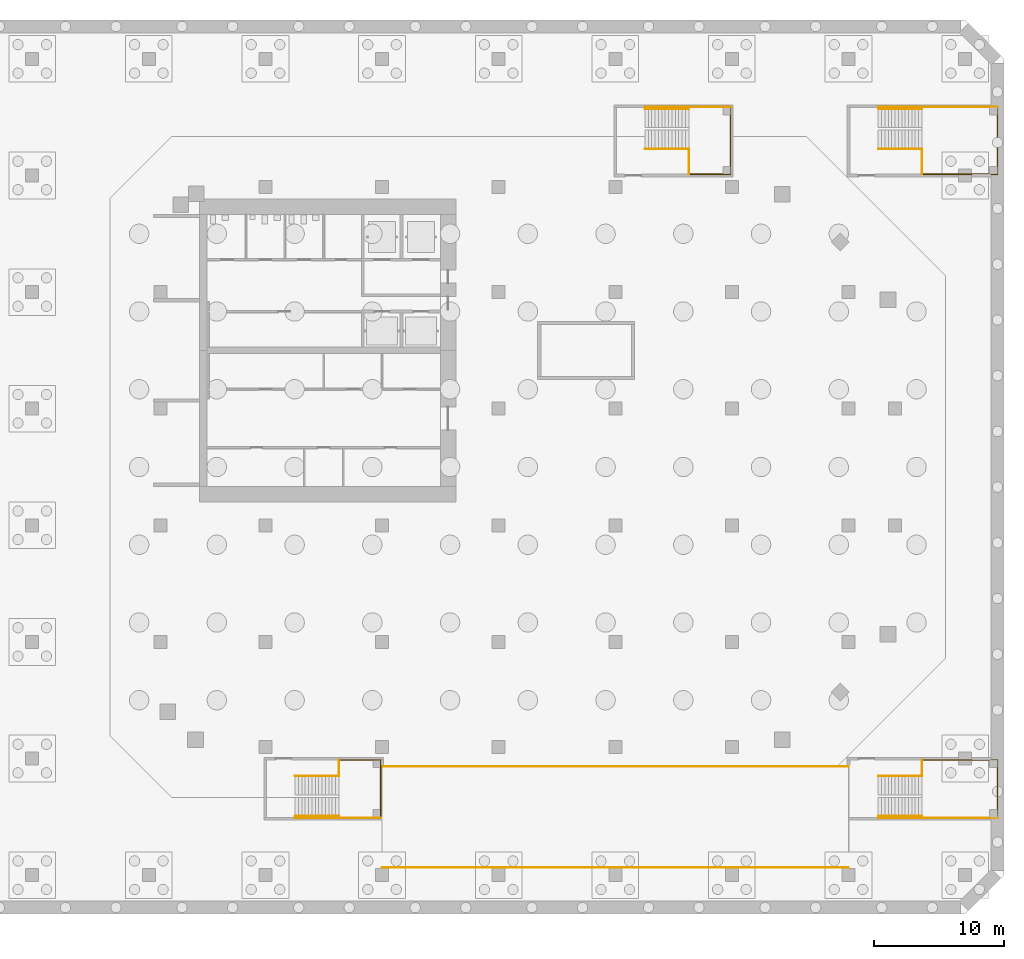
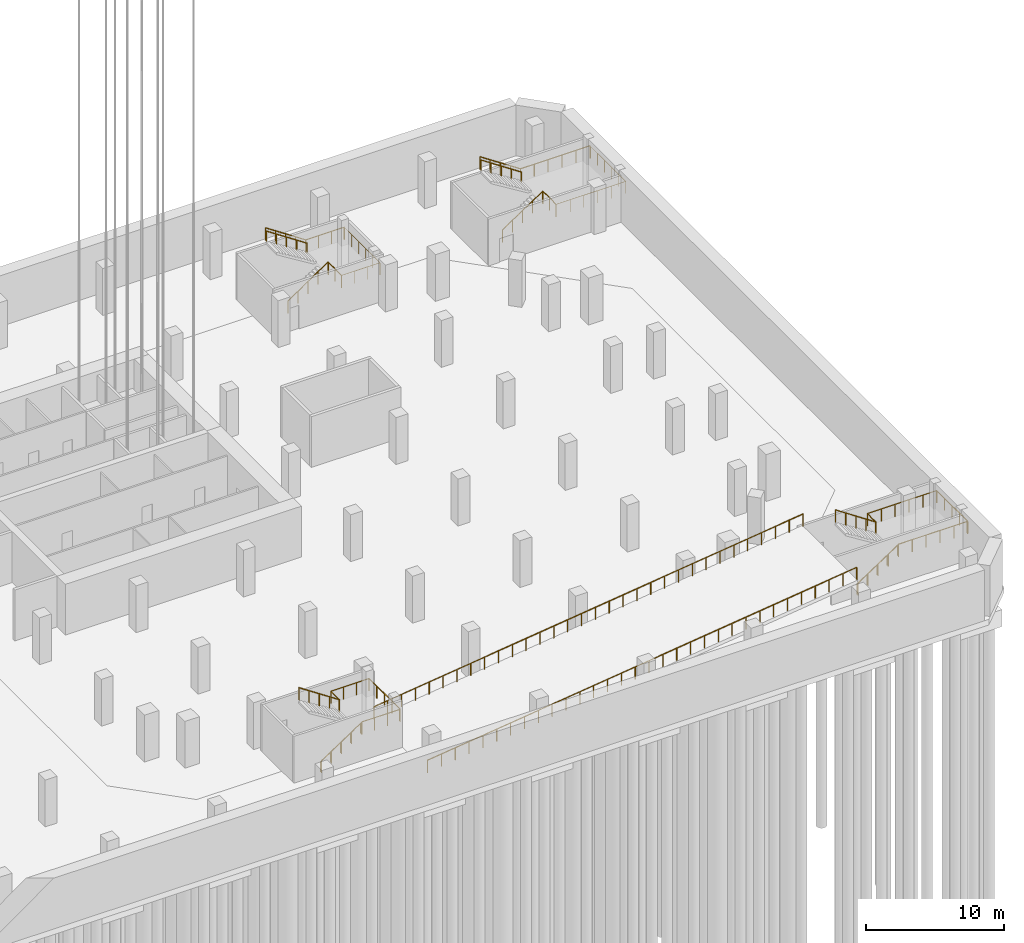
# One storey, part 27 of 30: 22 railings.
"""IFC4 building model written with IfcOpenShell, lengths in metres."""

from ifc_helpers import new_model, si_unit, direction, frame, origin, origin_2d, place, context, subcontext, project, spatial, circle, extrude, material, type_object, element, save


model = new_model("IFC4")

# Units and contexts
model_context = context("Model", 3, precision=1e-05, world=origin(), true_north=direction((0.0, 1.0)))
body_context = subcontext(model_context, "Body", "Model", "MODEL_VIEW")
ifc_project = project(units=[si_unit("LENGTHUNIT", "METRE"), si_unit("AREAUNIT", "SQUARE_METRE"), si_unit("VOLUMEUNIT", "CUBIC_METRE"), si_unit("PLANEANGLEUNIT", "RADIAN"), si_unit("MASSUNIT", "GRAM", prefix="KILO")], contexts=[model_context])

# Site, building, storey
site_placement = place(None, origin())
site = spatial("IfcSite", under=ifc_project, at=site_placement, CompositionType="ELEMENT")
building_placement = place(site_placement, origin())
building = spatial("IfcBuilding", under=site, at=building_placement, Name="Cinnabar Reach Civic Tower", CompositionType="ELEMENT")
storey_placement = place(building_placement, frame((0.0, 0.0, -14.0)))
storey = spatial("IfcBuildingStorey", under=building, at=storey_placement, Name="B3", CompositionType="ELEMENT", Elevation=-14.0)

# Railings
ifc_material_1 = material(Name="Stainless steel and glass", Category="steel")
railing_type_1 = type_object("IfcRailingType", Name="Podium guard 1100", PredefinedType="GUARDRAIL", material=ifc_material_1)
railing_1_placement = place(storey_placement, frame((14.68, -1.35, 2.25)))
element("IfcRailing", 1, at=railing_1_placement, inside=storey, type_object=railing_type_1, Name="Stair guard PS3 B3", PredefinedType="GUARDRAIL", context=body_context, shape_type="SweptSolid", body=[
    extrude(circle(Radius=0.024, at=origin_2d()), frame((0.0, 0.0, 1.076), z_axis=(-0.832428993721, 0.0, 0.554131726589), x_axis=(0.0, -1.0, 0.0)), (0.0, 0.0, 1.0), 4.0604),
    extrude(circle(Radius=0.021, at=origin_2d()), origin(), (0.0, 0.0, 1.0), 1.052),
    extrude(circle(Radius=0.021, at=origin_2d()), frame((-0.845, 0.0, 0.5625)), (0.0, 0.0, 1.0), 1.052),
    extrude(circle(Radius=0.021, at=origin_2d()), frame((-1.69, 0.0, 1.125)), (0.0, 0.0, 1.0), 1.052),
    extrude(circle(Radius=0.021, at=origin_2d()), frame((-2.535, 0.0, 1.6875)), (0.0, 0.0, 1.0), 1.052),
    extrude(circle(Radius=0.021, at=origin_2d()), frame((-3.38, 0.0, 2.25)), (0.0, 0.0, 1.0), 1.052),
])
railing_2_placement = place(storey_placement, frame((14.68, -0.1, 2.25)))
element("IfcRailing", 2, at=railing_2_placement, inside=storey, type_object=railing_type_1, Name="Landing guard PS3 B3", PredefinedType="GUARDRAIL", context=body_context, shape_type="SweptSolid", body=[
    extrude(circle(Radius=0.024, at=origin_2d()), frame((0.0, 0.0, 1.076), z_axis=(1.0, 0.0, 0.0), x_axis=(0.0, 1.0, 0.0)), (0.0, 0.0, 1.0), 3.22),
    extrude(circle(Radius=0.024, at=origin_2d()), frame((3.22, 0.0, 1.076), z_axis=(0.0, -1.0, 0.0), x_axis=(1.0, 0.0, 0.0)), (0.0, 0.0, 1.0), 4.4),
    extrude(circle(Radius=0.021, at=origin_2d()), origin(), (0.0, 0.0, 1.0), 1.052),
    extrude(circle(Radius=0.021, at=origin_2d()), frame((1.0733, 0.0, 0.0)), (0.0, 0.0, 1.0), 1.052),
    extrude(circle(Radius=0.021, at=origin_2d()), frame((2.1467, 0.0, 0.0)), (0.0, 0.0, 1.0), 1.052),
    extrude(circle(Radius=0.021, at=origin_2d()), frame((3.22, 0.0, 0.0)), (0.0, 0.0, 1.0), 1.052),
    extrude(circle(Radius=0.021, at=origin_2d()), frame((3.22, -1.1, 0.0)), (0.0, 0.0, 1.0), 1.052),
    extrude(circle(Radius=0.021, at=origin_2d()), frame((3.22, -2.2, 0.0)), (0.0, 0.0, 1.0), 1.052),
    extrude(circle(Radius=0.021, at=origin_2d()), frame((3.22, -3.3, 0.0)), (0.0, 0.0, 1.0), 1.052),
    extrude(circle(Radius=0.021, at=origin_2d()), frame((3.22, -4.4, 0.0)), (0.0, 0.0, 1.0), 1.052),
])
railing_3_placement = place(storey_placement, frame((14.68, -1.3, 2.25)))
element("IfcRailing", 3, at=railing_3_placement, inside=storey, type_object=railing_type_1, Name="Landing guard PS3 B3 inner", PredefinedType="GUARDRAIL", context=body_context, shape_type="SweptSolid", body=[
    extrude(circle(Radius=0.024, at=origin_2d()), frame((0.0, 0.0, 1.076), z_axis=(0.0, 1.0, 0.0), x_axis=(-1.0, 0.0, 0.0)), (0.0, 0.0, 1.0), 1.2),
    extrude(circle(Radius=0.021, at=origin_2d()), origin(), (0.0, 0.0, 1.0), 1.052),
    extrude(circle(Radius=0.021, at=origin_2d()), frame((0.0, 1.2, 0.0)), (0.0, 0.0, 1.0), 1.052),
])
railing_4_placement = place(storey_placement, frame((11.3, -4.6, 0.0)))
element("IfcRailing", 4, at=railing_4_placement, inside=storey, type_object=railing_type_1, Name="Stair wall side guard PS3 B3", PredefinedType="GUARDRAIL", context=body_context, shape_type="SweptSolid", body=[
    extrude(circle(Radius=0.024, at=origin_2d()), frame((0.0, 0.0, 1.076), z_axis=(0.832428993721, 0.0, 0.554131726589), x_axis=(0.0, 1.0, 0.0)), (0.0, 0.0, 1.0), 4.0604),
    extrude(circle(Radius=0.024, at=origin_2d()), frame((3.38, 0.0, 3.326), z_axis=(1.0, 0.0, 0.0), x_axis=(0.0, 1.0, 0.0)), (0.0, 0.0, 1.0), 3.22),
    extrude(circle(Radius=0.021, at=origin_2d()), origin(), (0.0, 0.0, 1.0), 1.052),
    extrude(circle(Radius=0.021, at=origin_2d()), frame((0.845, 0.0, 0.5625)), (0.0, 0.0, 1.0), 1.052),
    extrude(circle(Radius=0.021, at=origin_2d()), frame((1.69, 0.0, 1.125)), (0.0, 0.0, 1.0), 1.052),
    extrude(circle(Radius=0.021, at=origin_2d()), frame((2.535, 0.0, 1.6875)), (0.0, 0.0, 1.0), 1.052),
    extrude(circle(Radius=0.021, at=origin_2d()), frame((3.38, 0.0, 2.25)), (0.0, 0.0, 1.0), 1.052),
    extrude(circle(Radius=0.021, at=origin_2d()), frame((4.4533, 0.0, 2.25)), (0.0, 0.0, 1.0), 1.052),
    extrude(circle(Radius=0.021, at=origin_2d()), frame((5.5267, 0.0, 2.25)), (0.0, 0.0, 1.0), 1.052),
    extrude(circle(Radius=0.021, at=origin_2d()), frame((6.6, 0.0, 2.25)), (0.0, 0.0, 1.0), 1.052),
])
railing_5_placement = place(storey_placement, frame((59.68, -1.35, 2.25)))
element("IfcRailing", 5, at=railing_5_placement, inside=storey, type_object=railing_type_1, Name="Stair guard PS4 B3", PredefinedType="GUARDRAIL", context=body_context, shape_type="SweptSolid", body=[
    extrude(circle(Radius=0.024, at=origin_2d()), frame((0.0, 0.0, 1.076), z_axis=(-0.832428993721, 0.0, 0.554131726589), x_axis=(0.0, -1.0, 0.0)), (0.0, 0.0, 1.0), 4.0604),
    extrude(circle(Radius=0.021, at=origin_2d()), origin(), (0.0, 0.0, 1.0), 1.052),
    extrude(circle(Radius=0.021, at=origin_2d()), frame((-0.845, 0.0, 0.5625)), (0.0, 0.0, 1.0), 1.052),
    extrude(circle(Radius=0.021, at=origin_2d()), frame((-1.69, 0.0, 1.125)), (0.0, 0.0, 1.0), 1.052),
    extrude(circle(Radius=0.021, at=origin_2d()), frame((-2.535, 0.0, 1.6875)), (0.0, 0.0, 1.0), 1.052),
    extrude(circle(Radius=0.021, at=origin_2d()), frame((-3.38, 0.0, 2.25)), (0.0, 0.0, 1.0), 1.052),
])
railing_6_placement = place(storey_placement, frame((59.68, -0.1, 2.25)))
element("IfcRailing", 6, at=railing_6_placement, inside=storey, type_object=railing_type_1, Name="Landing guard PS4 B3", PredefinedType="GUARDRAIL", context=body_context, shape_type="SweptSolid", body=[
    extrude(circle(Radius=0.024, at=origin_2d()), frame((0.0, 0.0, 1.076), z_axis=(1.0, 0.0, 0.0), x_axis=(0.0, 1.0, 0.0)), (0.0, 0.0, 1.0), 5.82),
    extrude(circle(Radius=0.024, at=origin_2d()), frame((5.82, 0.0, 1.076), z_axis=(0.0, -1.0, 0.0), x_axis=(1.0, 0.0, 0.0)), (0.0, 0.0, 1.0), 4.4),
    extrude(circle(Radius=0.021, at=origin_2d()), origin(), (0.0, 0.0, 1.0), 1.052),
    extrude(circle(Radius=0.021, at=origin_2d()), frame((1.164, 0.0, 0.0)), (0.0, 0.0, 1.0), 1.052),
    extrude(circle(Radius=0.021, at=origin_2d()), frame((2.328, 0.0, 0.0)), (0.0, 0.0, 1.0), 1.052),
    extrude(circle(Radius=0.021, at=origin_2d()), frame((3.492, 0.0, 0.0)), (0.0, 0.0, 1.0), 1.052),
    extrude(circle(Radius=0.021, at=origin_2d()), frame((4.656, 0.0, 0.0)), (0.0, 0.0, 1.0), 1.052),
    extrude(circle(Radius=0.021, at=origin_2d()), frame((5.82, 0.0, 0.0)), (0.0, 0.0, 1.0), 1.052),
    extrude(circle(Radius=0.021, at=origin_2d()), frame((5.82, -1.1, 0.0)), (0.0, 0.0, 1.0), 1.052),
    extrude(circle(Radius=0.021, at=origin_2d()), frame((5.82, -2.2, 0.0)), (0.0, 0.0, 1.0), 1.052),
    extrude(circle(Radius=0.021, at=origin_2d()), frame((5.82, -3.3, 0.0)), (0.0, 0.0, 1.0), 1.052),
    extrude(circle(Radius=0.021, at=origin_2d()), frame((5.82, -4.4, 0.0)), (0.0, 0.0, 1.0), 1.052),
])
railing_7_placement = place(storey_placement, frame((59.68, -1.3, 2.25)))
element("IfcRailing", 7, at=railing_7_placement, inside=storey, type_object=railing_type_1, Name="Landing guard PS4 B3 inner", PredefinedType="GUARDRAIL", context=body_context, shape_type="SweptSolid", body=[
    extrude(circle(Radius=0.024, at=origin_2d()), frame((0.0, 0.0, 1.076), z_axis=(0.0, 1.0, 0.0), x_axis=(-1.0, 0.0, 0.0)), (0.0, 0.0, 1.0), 1.2),
    extrude(circle(Radius=0.021, at=origin_2d()), origin(), (0.0, 0.0, 1.0), 1.052),
    extrude(circle(Radius=0.021, at=origin_2d()), frame((0.0, 1.2, 0.0)), (0.0, 0.0, 1.0), 1.052),
])
railing_8_placement = place(storey_placement, frame((56.3, -4.6, 0.0)))
element("IfcRailing", 8, at=railing_8_placement, inside=storey, type_object=railing_type_1, Name="Stair wall side guard PS4 B3", PredefinedType="GUARDRAIL", context=body_context, shape_type="SweptSolid", body=[
    extrude(circle(Radius=0.024, at=origin_2d()), frame((0.0, 0.0, 1.076), z_axis=(0.832428993721, 0.0, 0.554131726589), x_axis=(0.0, 1.0, 0.0)), (0.0, 0.0, 1.0), 4.0604),
    extrude(circle(Radius=0.024, at=origin_2d()), frame((3.38, 0.0, 3.326), z_axis=(1.0, 0.0, 0.0), x_axis=(0.0, 1.0, 0.0)), (0.0, 0.0, 1.0), 5.82),
    extrude(circle(Radius=0.021, at=origin_2d()), origin(), (0.0, 0.0, 1.0), 1.052),
    extrude(circle(Radius=0.021, at=origin_2d()), frame((0.845, 0.0, 0.5625)), (0.0, 0.0, 1.0), 1.052),
    extrude(circle(Radius=0.021, at=origin_2d()), frame((1.69, 0.0, 1.125)), (0.0, 0.0, 1.0), 1.052),
    extrude(circle(Radius=0.021, at=origin_2d()), frame((2.535, 0.0, 1.6875)), (0.0, 0.0, 1.0), 1.052),
    extrude(circle(Radius=0.021, at=origin_2d()), frame((3.38, 0.0, 2.25)), (0.0, 0.0, 1.0), 1.052),
    extrude(circle(Radius=0.021, at=origin_2d()), frame((4.544, 0.0, 2.25)), (0.0, 0.0, 1.0), 1.052),
    extrude(circle(Radius=0.021, at=origin_2d()), frame((5.708, 0.0, 2.25)), (0.0, 0.0, 1.0), 1.052),
    extrude(circle(Radius=0.021, at=origin_2d()), frame((6.872, 0.0, 2.25)), (0.0, 0.0, 1.0), 1.052),
    extrude(circle(Radius=0.021, at=origin_2d()), frame((8.036, 0.0, 2.25)), (0.0, 0.0, 1.0), 1.052),
    extrude(circle(Radius=0.021, at=origin_2d()), frame((9.2, 0.0, 2.25)), (0.0, 0.0, 1.0), 1.052),
])
railing_9_placement = place(storey_placement, frame((56.3, 47.05, 0.0)))
element("IfcRailing", 9, at=railing_9_placement, inside=storey, type_object=railing_type_1, Name="Stair guard PS5 B3", PredefinedType="GUARDRAIL", context=body_context, shape_type="SweptSolid", body=[
    extrude(circle(Radius=0.024, at=origin_2d()), frame((0.0, 0.0, 1.076), z_axis=(0.832428993721, 0.0, 0.554131726589), x_axis=(0.0, 1.0, 0.0)), (0.0, 0.0, 1.0), 4.0604),
    extrude(circle(Radius=0.021, at=origin_2d()), origin(), (0.0, 0.0, 1.0), 1.052),
    extrude(circle(Radius=0.021, at=origin_2d()), frame((0.845, 0.0, 0.5625)), (0.0, 0.0, 1.0), 1.052),
    extrude(circle(Radius=0.021, at=origin_2d()), frame((1.69, 0.0, 1.125)), (0.0, 0.0, 1.0), 1.052),
    extrude(circle(Radius=0.021, at=origin_2d()), frame((2.535, 0.0, 1.6875)), (0.0, 0.0, 1.0), 1.052),
    extrude(circle(Radius=0.021, at=origin_2d()), frame((3.38, 0.0, 2.25)), (0.0, 0.0, 1.0), 1.052),
])
railing_10_placement = place(storey_placement, frame((59.68, 45.1, 2.25)))
element("IfcRailing", 10, at=railing_10_placement, inside=storey, type_object=railing_type_1, Name="Landing guard PS5 B3", PredefinedType="GUARDRAIL", context=body_context, shape_type="SweptSolid", body=[
    extrude(circle(Radius=0.024, at=origin_2d()), frame((0.0, 0.0, 1.076), z_axis=(1.0, 0.0, 0.0), x_axis=(0.0, 1.0, 0.0)), (0.0, 0.0, 1.0), 5.82),
    extrude(circle(Radius=0.024, at=origin_2d()), frame((5.82, 0.0, 1.076), z_axis=(0.0, 1.0, 0.0), x_axis=(-1.0, 0.0, 0.0)), (0.0, 0.0, 1.0), 5.1),
    extrude(circle(Radius=0.021, at=origin_2d()), origin(), (0.0, 0.0, 1.0), 1.052),
    extrude(circle(Radius=0.021, at=origin_2d()), frame((1.164, 0.0, 0.0)), (0.0, 0.0, 1.0), 1.052),
    extrude(circle(Radius=0.021, at=origin_2d()), frame((2.328, 0.0, 0.0)), (0.0, 0.0, 1.0), 1.052),
    extrude(circle(Radius=0.021, at=origin_2d()), frame((3.492, 0.0, 0.0)), (0.0, 0.0, 1.0), 1.052),
    extrude(circle(Radius=0.021, at=origin_2d()), frame((4.656, 0.0, 0.0)), (0.0, 0.0, 1.0), 1.052),
    extrude(circle(Radius=0.021, at=origin_2d()), frame((5.82, 0.0, 0.0)), (0.0, 0.0, 1.0), 1.052),
    extrude(circle(Radius=0.021, at=origin_2d()), frame((5.82, 1.02, 0.0)), (0.0, 0.0, 1.0), 1.052),
    extrude(circle(Radius=0.021, at=origin_2d()), frame((5.82, 2.04, 0.0)), (0.0, 0.0, 1.0), 1.052),
    extrude(circle(Radius=0.021, at=origin_2d()), frame((5.82, 3.06, 0.0)), (0.0, 0.0, 1.0), 1.052),
    extrude(circle(Radius=0.021, at=origin_2d()), frame((5.82, 4.08, 0.0)), (0.0, 0.0, 1.0), 1.052),
    extrude(circle(Radius=0.021, at=origin_2d()), frame((5.82, 5.1, 0.0)), (0.0, 0.0, 1.0), 1.052),
])
railing_11_placement = place(storey_placement, frame((59.68, 45.1, 2.25)))
element("IfcRailing", 11, at=railing_11_placement, inside=storey, type_object=railing_type_1, Name="Landing guard PS5 B3 inner", PredefinedType="GUARDRAIL", context=body_context, shape_type="SweptSolid", body=[
    extrude(circle(Radius=0.024, at=origin_2d()), frame((0.0, 0.0, 1.076), z_axis=(0.0, 1.0, 0.0), x_axis=(-1.0, 0.0, 0.0)), (0.0, 0.0, 1.0), 1.9),
    extrude(circle(Radius=0.021, at=origin_2d()), origin(), (0.0, 0.0, 1.0), 1.052),
    extrude(circle(Radius=0.021, at=origin_2d()), frame((0.0, 0.95, 0.0)), (0.0, 0.0, 1.0), 1.052),
    extrude(circle(Radius=0.021, at=origin_2d()), frame((0.0, 1.9, 0.0)), (0.0, 0.0, 1.0), 1.052),
])
railing_12_placement = place(storey_placement, frame((65.5, 50.3, 2.25)))
element("IfcRailing", 12, at=railing_12_placement, inside=storey, type_object=railing_type_1, Name="Stair wall side guard PS5 B3", PredefinedType="GUARDRAIL", context=body_context, shape_type="SweptSolid", body=[
    extrude(circle(Radius=0.024, at=origin_2d()), frame((0.0, 0.0, 1.076), z_axis=(-1.0, 0.0, 0.0), x_axis=(0.0, -1.0, 0.0)), (0.0, 0.0, 1.0), 5.82),
    extrude(circle(Radius=0.024, at=origin_2d()), frame((-5.82, 0.0, 1.076), z_axis=(-0.832428993721, 0.0, 0.554131726589), x_axis=(0.0, -1.0, 0.0)), (0.0, 0.0, 1.0), 4.0604),
    extrude(circle(Radius=0.021, at=origin_2d()), origin(), (0.0, 0.0, 1.0), 1.052),
    extrude(circle(Radius=0.021, at=origin_2d()), frame((-1.164, 0.0, 0.0)), (0.0, 0.0, 1.0), 1.052),
    extrude(circle(Radius=0.021, at=origin_2d()), frame((-2.328, 0.0, 0.0)), (0.0, 0.0, 1.0), 1.052),
    extrude(circle(Radius=0.021, at=origin_2d()), frame((-3.492, 0.0, 0.0)), (0.0, 0.0, 1.0), 1.052),
    extrude(circle(Radius=0.021, at=origin_2d()), frame((-4.656, 0.0, 0.0)), (0.0, 0.0, 1.0), 1.052),
    extrude(circle(Radius=0.021, at=origin_2d()), frame((-5.82, 0.0, 0.0)), (0.0, 0.0, 1.0), 1.052),
    extrude(circle(Radius=0.021, at=origin_2d()), frame((-6.665, 0.0, 0.5625)), (0.0, 0.0, 1.0), 1.052),
    extrude(circle(Radius=0.021, at=origin_2d()), frame((-7.51, 0.0, 1.125)), (0.0, 0.0, 1.0), 1.052),
    extrude(circle(Radius=0.021, at=origin_2d()), frame((-8.355, 0.0, 1.6875)), (0.0, 0.0, 1.0), 1.052),
    extrude(circle(Radius=0.021, at=origin_2d()), frame((-9.2, 0.0, 2.25)), (0.0, 0.0, 1.0), 1.052),
])
railing_13_placement = place(storey_placement, frame((38.3, 47.05, 0.0)))
element("IfcRailing", 13, at=railing_13_placement, inside=storey, type_object=railing_type_1, Name="Stair guard PS6 B3", PredefinedType="GUARDRAIL", context=body_context, shape_type="SweptSolid", body=[
    extrude(circle(Radius=0.024, at=origin_2d()), frame((0.0, 0.0, 1.076), z_axis=(0.832428993721, 0.0, 0.554131726589), x_axis=(0.0, 1.0, 0.0)), (0.0, 0.0, 1.0), 4.0604),
    extrude(circle(Radius=0.021, at=origin_2d()), origin(), (0.0, 0.0, 1.0), 1.052),
    extrude(circle(Radius=0.021, at=origin_2d()), frame((0.845, 0.0, 0.5625)), (0.0, 0.0, 1.0), 1.052),
    extrude(circle(Radius=0.021, at=origin_2d()), frame((1.69, 0.0, 1.125)), (0.0, 0.0, 1.0), 1.052),
    extrude(circle(Radius=0.021, at=origin_2d()), frame((2.535, 0.0, 1.6875)), (0.0, 0.0, 1.0), 1.052),
    extrude(circle(Radius=0.021, at=origin_2d()), frame((3.38, 0.0, 2.25)), (0.0, 0.0, 1.0), 1.052),
])
railing_14_placement = place(storey_placement, frame((41.68, 45.1, 2.25)))
element("IfcRailing", 14, at=railing_14_placement, inside=storey, type_object=railing_type_1, Name="Landing guard PS6 B3", PredefinedType="GUARDRAIL", context=body_context, shape_type="SweptSolid", body=[
    extrude(circle(Radius=0.024, at=origin_2d()), frame((0.0, 0.0, 1.076), z_axis=(1.0, 0.0, 0.0), x_axis=(0.0, 1.0, 0.0)), (0.0, 0.0, 1.0), 3.22),
    extrude(circle(Radius=0.024, at=origin_2d()), frame((3.22, 0.0, 1.076), z_axis=(0.0, 1.0, 0.0), x_axis=(-1.0, 0.0, 0.0)), (0.0, 0.0, 1.0), 5.1),
    extrude(circle(Radius=0.021, at=origin_2d()), origin(), (0.0, 0.0, 1.0), 1.052),
    extrude(circle(Radius=0.021, at=origin_2d()), frame((1.0733, 0.0, 0.0)), (0.0, 0.0, 1.0), 1.052),
    extrude(circle(Radius=0.021, at=origin_2d()), frame((2.1467, 0.0, 0.0)), (0.0, 0.0, 1.0), 1.052),
    extrude(circle(Radius=0.021, at=origin_2d()), frame((3.22, 0.0, 0.0)), (0.0, 0.0, 1.0), 1.052),
    extrude(circle(Radius=0.021, at=origin_2d()), frame((3.22, 1.02, 0.0)), (0.0, 0.0, 1.0), 1.052),
    extrude(circle(Radius=0.021, at=origin_2d()), frame((3.22, 2.04, 0.0)), (0.0, 0.0, 1.0), 1.052),
    extrude(circle(Radius=0.021, at=origin_2d()), frame((3.22, 3.06, 0.0)), (0.0, 0.0, 1.0), 1.052),
    extrude(circle(Radius=0.021, at=origin_2d()), frame((3.22, 4.08, 0.0)), (0.0, 0.0, 1.0), 1.052),
    extrude(circle(Radius=0.021, at=origin_2d()), frame((3.22, 5.1, 0.0)), (0.0, 0.0, 1.0), 1.052),
])
railing_15_placement = place(storey_placement, frame((41.68, 45.1, 2.25)))
element("IfcRailing", 15, at=railing_15_placement, inside=storey, type_object=railing_type_1, Name="Landing guard PS6 B3 inner", PredefinedType="GUARDRAIL", context=body_context, shape_type="SweptSolid", body=[
    extrude(circle(Radius=0.024, at=origin_2d()), frame((0.0, 0.0, 1.076), z_axis=(0.0, 1.0, 0.0), x_axis=(-1.0, 0.0, 0.0)), (0.0, 0.0, 1.0), 1.9),
    extrude(circle(Radius=0.021, at=origin_2d()), origin(), (0.0, 0.0, 1.0), 1.052),
    extrude(circle(Radius=0.021, at=origin_2d()), frame((0.0, 0.95, 0.0)), (0.0, 0.0, 1.0), 1.052),
    extrude(circle(Radius=0.021, at=origin_2d()), frame((0.0, 1.9, 0.0)), (0.0, 0.0, 1.0), 1.052),
])
railing_16_placement = place(storey_placement, frame((44.9, 50.3, 2.25)))
element("IfcRailing", 16, at=railing_16_placement, inside=storey, type_object=railing_type_1, Name="Stair wall side guard PS6 B3", PredefinedType="GUARDRAIL", context=body_context, shape_type="SweptSolid", body=[
    extrude(circle(Radius=0.024, at=origin_2d()), frame((0.0, 0.0, 1.076), z_axis=(-1.0, 0.0, 0.0), x_axis=(0.0, -1.0, 0.0)), (0.0, 0.0, 1.0), 3.22),
    extrude(circle(Radius=0.024, at=origin_2d()), frame((-3.22, 0.0, 1.076), z_axis=(-0.832428993721, 0.0, 0.554131726589), x_axis=(0.0, -1.0, 0.0)), (0.0, 0.0, 1.0), 4.0604),
    extrude(circle(Radius=0.021, at=origin_2d()), origin(), (0.0, 0.0, 1.0), 1.052),
    extrude(circle(Radius=0.021, at=origin_2d()), frame((-1.0733, 0.0, 0.0)), (0.0, 0.0, 1.0), 1.052),
    extrude(circle(Radius=0.021, at=origin_2d()), frame((-2.1467, 0.0, 0.0)), (0.0, 0.0, 1.0), 1.052),
    extrude(circle(Radius=0.021, at=origin_2d()), frame((-3.22, 0.0, 0.0)), (0.0, 0.0, 1.0), 1.052),
    extrude(circle(Radius=0.021, at=origin_2d()), frame((-4.065, 0.0, 0.5625)), (0.0, 0.0, 1.0), 1.052),
    extrude(circle(Radius=0.021, at=origin_2d()), frame((-4.91, 0.0, 1.125)), (0.0, 0.0, 1.0), 1.052),
    extrude(circle(Radius=0.021, at=origin_2d()), frame((-5.755, 0.0, 1.6875)), (0.0, 0.0, 1.0), 1.052),
    extrude(circle(Radius=0.021, at=origin_2d()), frame((-6.6, 0.0, 2.25)), (0.0, 0.0, 1.0), 1.052),
])
railing_17_placement = place(storey_placement, frame((18.0, -8.4, 0.0)))
element("IfcRailing", 17, at=railing_17_placement, inside=storey, type_object=railing_type_1, Name="Ramp guard R1-a", PredefinedType="GUARDRAIL", context=body_context, shape_type="SweptSolid", body=[
    extrude(circle(Radius=0.024, at=origin_2d()), frame((0.0, 0.0, 1.076), z_axis=(0.992277876714, 0.0, 0.124034734589), x_axis=(0.0, 1.0, 0.0)), (0.0, 0.0, 1.0), 36.2802),
    extrude(circle(Radius=0.021, at=origin_2d()), origin(), (0.0, 0.0, 1.0), 1.052),
    extrude(circle(Radius=0.021, at=origin_2d()), frame((1.1613, 0.0, 0.1452)), (0.0, 0.0, 1.0), 1.052),
    extrude(circle(Radius=0.021, at=origin_2d()), frame((2.3226, 0.0, 0.2903)), (0.0, 0.0, 1.0), 1.052),
    extrude(circle(Radius=0.021, at=origin_2d()), frame((3.4839, 0.0, 0.4355)), (0.0, 0.0, 1.0), 1.052),
    extrude(circle(Radius=0.021, at=origin_2d()), frame((4.6452, 0.0, 0.5806)), (0.0, 0.0, 1.0), 1.052),
    extrude(circle(Radius=0.021, at=origin_2d()), frame((5.8065, 0.0, 0.7258)), (0.0, 0.0, 1.0), 1.052),
    extrude(circle(Radius=0.021, at=origin_2d()), frame((6.9677, 0.0, 0.871)), (0.0, 0.0, 1.0), 1.052),
    extrude(circle(Radius=0.021, at=origin_2d()), frame((8.129, 0.0, 1.0161)), (0.0, 0.0, 1.0), 1.052),
    extrude(circle(Radius=0.021, at=origin_2d()), frame((9.2903, 0.0, 1.1613)), (0.0, 0.0, 1.0), 1.052),
    extrude(circle(Radius=0.021, at=origin_2d()), frame((10.4516, 0.0, 1.3065)), (0.0, 0.0, 1.0), 1.052),
    extrude(circle(Radius=0.021, at=origin_2d()), frame((11.6129, 0.0, 1.4516)), (0.0, 0.0, 1.0), 1.052),
    extrude(circle(Radius=0.021, at=origin_2d()), frame((12.7742, 0.0, 1.5968)), (0.0, 0.0, 1.0), 1.052),
    extrude(circle(Radius=0.021, at=origin_2d()), frame((13.9355, 0.0, 1.7419)), (0.0, 0.0, 1.0), 1.052),
    extrude(circle(Radius=0.021, at=origin_2d()), frame((15.0968, 0.0, 1.8871)), (0.0, 0.0, 1.0), 1.052),
    extrude(circle(Radius=0.021, at=origin_2d()), frame((16.2581, 0.0, 2.0323)), (0.0, 0.0, 1.0), 1.052),
    extrude(circle(Radius=0.021, at=origin_2d()), frame((17.4194, 0.0, 2.1774)), (0.0, 0.0, 1.0), 1.052),
    extrude(circle(Radius=0.021, at=origin_2d()), frame((18.5806, 0.0, 2.3226)), (0.0, 0.0, 1.0), 1.052),
    extrude(circle(Radius=0.021, at=origin_2d()), frame((19.7419, 0.0, 2.4677)), (0.0, 0.0, 1.0), 1.052),
    extrude(circle(Radius=0.021, at=origin_2d()), frame((20.9032, 0.0, 2.6129)), (0.0, 0.0, 1.0), 1.052),
    extrude(circle(Radius=0.021, at=origin_2d()), frame((22.0645, 0.0, 2.7581)), (0.0, 0.0, 1.0), 1.052),
    extrude(circle(Radius=0.021, at=origin_2d()), frame((23.2258, 0.0, 2.9032)), (0.0, 0.0, 1.0), 1.052),
    extrude(circle(Radius=0.021, at=origin_2d()), frame((24.3871, 0.0, 3.0484)), (0.0, 0.0, 1.0), 1.052),
    extrude(circle(Radius=0.021, at=origin_2d()), frame((25.5484, 0.0, 3.1935)), (0.0, 0.0, 1.0), 1.052),
    extrude(circle(Radius=0.021, at=origin_2d()), frame((26.7097, 0.0, 3.3387)), (0.0, 0.0, 1.0), 1.052),
    extrude(circle(Radius=0.021, at=origin_2d()), frame((27.871, 0.0, 3.4839)), (0.0, 0.0, 1.0), 1.052),
    extrude(circle(Radius=0.021, at=origin_2d()), frame((29.0323, 0.0, 3.629)), (0.0, 0.0, 1.0), 1.052),
    extrude(circle(Radius=0.021, at=origin_2d()), frame((30.1935, 0.0, 3.7742)), (0.0, 0.0, 1.0), 1.052),
    extrude(circle(Radius=0.021, at=origin_2d()), frame((31.3548, 0.0, 3.9194)), (0.0, 0.0, 1.0), 1.052),
    extrude(circle(Radius=0.021, at=origin_2d()), frame((32.5161, 0.0, 4.0645)), (0.0, 0.0, 1.0), 1.052),
    extrude(circle(Radius=0.021, at=origin_2d()), frame((33.6774, 0.0, 4.2097)), (0.0, 0.0, 1.0), 1.052),
    extrude(circle(Radius=0.021, at=origin_2d()), frame((34.8387, 0.0, 4.3548)), (0.0, 0.0, 1.0), 1.052),
    extrude(circle(Radius=0.021, at=origin_2d()), frame((36.0, 0.0, 4.5)), (0.0, 0.0, 1.0), 1.052),
])
railing_18_placement = place(storey_placement, frame((18.0, -0.6, 0.0)))
element("IfcRailing", 18, at=railing_18_placement, inside=storey, type_object=railing_type_1, Name="Ramp guard R1-b", PredefinedType="GUARDRAIL", context=body_context, shape_type="SweptSolid", body=[
    extrude(circle(Radius=0.024, at=origin_2d()), frame((0.0, 0.0, 1.076), z_axis=(0.992277876714, 0.0, 0.124034734589), x_axis=(0.0, 1.0, 0.0)), (0.0, 0.0, 1.0), 36.2802),
    extrude(circle(Radius=0.021, at=origin_2d()), origin(), (0.0, 0.0, 1.0), 1.052),
    extrude(circle(Radius=0.021, at=origin_2d()), frame((1.1613, 0.0, 0.1452)), (0.0, 0.0, 1.0), 1.052),
    extrude(circle(Radius=0.021, at=origin_2d()), frame((2.3226, 0.0, 0.2903)), (0.0, 0.0, 1.0), 1.052),
    extrude(circle(Radius=0.021, at=origin_2d()), frame((3.4839, 0.0, 0.4355)), (0.0, 0.0, 1.0), 1.052),
    extrude(circle(Radius=0.021, at=origin_2d()), frame((4.6452, 0.0, 0.5806)), (0.0, 0.0, 1.0), 1.052),
    extrude(circle(Radius=0.021, at=origin_2d()), frame((5.8065, 0.0, 0.7258)), (0.0, 0.0, 1.0), 1.052),
    extrude(circle(Radius=0.021, at=origin_2d()), frame((6.9677, 0.0, 0.871)), (0.0, 0.0, 1.0), 1.052),
    extrude(circle(Radius=0.021, at=origin_2d()), frame((8.129, 0.0, 1.0161)), (0.0, 0.0, 1.0), 1.052),
    extrude(circle(Radius=0.021, at=origin_2d()), frame((9.2903, 0.0, 1.1613)), (0.0, 0.0, 1.0), 1.052),
    extrude(circle(Radius=0.021, at=origin_2d()), frame((10.4516, 0.0, 1.3065)), (0.0, 0.0, 1.0), 1.052),
    extrude(circle(Radius=0.021, at=origin_2d()), frame((11.6129, 0.0, 1.4516)), (0.0, 0.0, 1.0), 1.052),
    extrude(circle(Radius=0.021, at=origin_2d()), frame((12.7742, 0.0, 1.5968)), (0.0, 0.0, 1.0), 1.052),
    extrude(circle(Radius=0.021, at=origin_2d()), frame((13.9355, 0.0, 1.7419)), (0.0, 0.0, 1.0), 1.052),
    extrude(circle(Radius=0.021, at=origin_2d()), frame((15.0968, 0.0, 1.8871)), (0.0, 0.0, 1.0), 1.052),
    extrude(circle(Radius=0.021, at=origin_2d()), frame((16.2581, 0.0, 2.0323)), (0.0, 0.0, 1.0), 1.052),
    extrude(circle(Radius=0.021, at=origin_2d()), frame((17.4194, 0.0, 2.1774)), (0.0, 0.0, 1.0), 1.052),
    extrude(circle(Radius=0.021, at=origin_2d()), frame((18.5806, 0.0, 2.3226)), (0.0, 0.0, 1.0), 1.052),
    extrude(circle(Radius=0.021, at=origin_2d()), frame((19.7419, 0.0, 2.4677)), (0.0, 0.0, 1.0), 1.052),
    extrude(circle(Radius=0.021, at=origin_2d()), frame((20.9032, 0.0, 2.6129)), (0.0, 0.0, 1.0), 1.052),
    extrude(circle(Radius=0.021, at=origin_2d()), frame((22.0645, 0.0, 2.7581)), (0.0, 0.0, 1.0), 1.052),
    extrude(circle(Radius=0.021, at=origin_2d()), frame((23.2258, 0.0, 2.9032)), (0.0, 0.0, 1.0), 1.052),
    extrude(circle(Radius=0.021, at=origin_2d()), frame((24.3871, 0.0, 3.0484)), (0.0, 0.0, 1.0), 1.052),
    extrude(circle(Radius=0.021, at=origin_2d()), frame((25.5484, 0.0, 3.1935)), (0.0, 0.0, 1.0), 1.052),
    extrude(circle(Radius=0.021, at=origin_2d()), frame((26.7097, 0.0, 3.3387)), (0.0, 0.0, 1.0), 1.052),
    extrude(circle(Radius=0.021, at=origin_2d()), frame((27.871, 0.0, 3.4839)), (0.0, 0.0, 1.0), 1.052),
    extrude(circle(Radius=0.021, at=origin_2d()), frame((29.0323, 0.0, 3.629)), (0.0, 0.0, 1.0), 1.052),
    extrude(circle(Radius=0.021, at=origin_2d()), frame((30.1935, 0.0, 3.7742)), (0.0, 0.0, 1.0), 1.052),
    extrude(circle(Radius=0.021, at=origin_2d()), frame((31.3548, 0.0, 3.9194)), (0.0, 0.0, 1.0), 1.052),
    extrude(circle(Radius=0.021, at=origin_2d()), frame((32.5161, 0.0, 4.0645)), (0.0, 0.0, 1.0), 1.052),
    extrude(circle(Radius=0.021, at=origin_2d()), frame((33.6774, 0.0, 4.2097)), (0.0, 0.0, 1.0), 1.052),
    extrude(circle(Radius=0.021, at=origin_2d()), frame((34.8387, 0.0, 4.3548)), (0.0, 0.0, 1.0), 1.052),
    extrude(circle(Radius=0.021, at=origin_2d()), frame((36.0, 0.0, 4.5)), (0.0, 0.0, 1.0), 1.052),
])
ifc_material_2 = material(Name="Stainless steel", Category="steel")
railing_type_2 = type_object("IfcRailingType", Name="Podium stair handrail 900", PredefinedType="HANDRAIL", material=ifc_material_2)
for number, where, name in (
    (19, (11.3, -4.45, 0.0), "Stair handrail PS3 B3"),
    (20, (56.3, -4.45, 0.0), "Stair handrail PS4 B3"),
):
    element("IfcRailing", number, at=place(storey_placement, frame(where)), inside=storey, type_object=railing_type_2, Name=name, PredefinedType="HANDRAIL", context=body_context, shape_type="SweptSolid", body=[
        extrude(circle(Radius=0.024, at=origin_2d()), frame((0.0, 0.0, 0.876), z_axis=(0.832428993721, 0.0, 0.554131726589), x_axis=(0.0, 1.0, 0.0)), (0.0, 0.0, 1.0), 4.0604),
        extrude(circle(Radius=0.021, at=origin_2d()), origin(), (0.0, 0.0, 1.0), 0.852),
        extrude(circle(Radius=0.021, at=origin_2d()), frame((0.845, 0.0, 0.5625)), (0.0, 0.0, 1.0), 0.852),
        extrude(circle(Radius=0.021, at=origin_2d()), frame((1.69, 0.0, 1.125)), (0.0, 0.0, 1.0), 0.852),
        extrude(circle(Radius=0.021, at=origin_2d()), frame((2.535, 0.0, 1.6875)), (0.0, 0.0, 1.0), 0.852),
        extrude(circle(Radius=0.021, at=origin_2d()), frame((3.38, 0.0, 2.25)), (0.0, 0.0, 1.0), 0.852),
    ])
for number, where, name in (
    (21, (59.68, 50.15, 2.25), "Stair handrail PS5 B3"),
    (22, (41.68, 50.15, 2.25), "Stair handrail PS6 B3"),
):
    element("IfcRailing", number, at=place(storey_placement, frame(where)), inside=storey, type_object=railing_type_2, Name=name, PredefinedType="HANDRAIL", context=body_context, shape_type="SweptSolid", body=[
        extrude(circle(Radius=0.024, at=origin_2d()), frame((0.0, 0.0, 0.876), z_axis=(-0.832428993721, 0.0, 0.554131726589), x_axis=(0.0, -1.0, 0.0)), (0.0, 0.0, 1.0), 4.0604),
        extrude(circle(Radius=0.021, at=origin_2d()), origin(), (0.0, 0.0, 1.0), 0.852),
        extrude(circle(Radius=0.021, at=origin_2d()), frame((-0.845, 0.0, 0.5625)), (0.0, 0.0, 1.0), 0.852),
        extrude(circle(Radius=0.021, at=origin_2d()), frame((-1.69, 0.0, 1.125)), (0.0, 0.0, 1.0), 0.852),
        extrude(circle(Radius=0.021, at=origin_2d()), frame((-2.535, 0.0, 1.6875)), (0.0, 0.0, 1.0), 0.852),
        extrude(circle(Radius=0.021, at=origin_2d()), frame((-3.38, 0.0, 2.25)), (0.0, 0.0, 1.0), 0.852),
    ])

save(model, "model.ifc")
